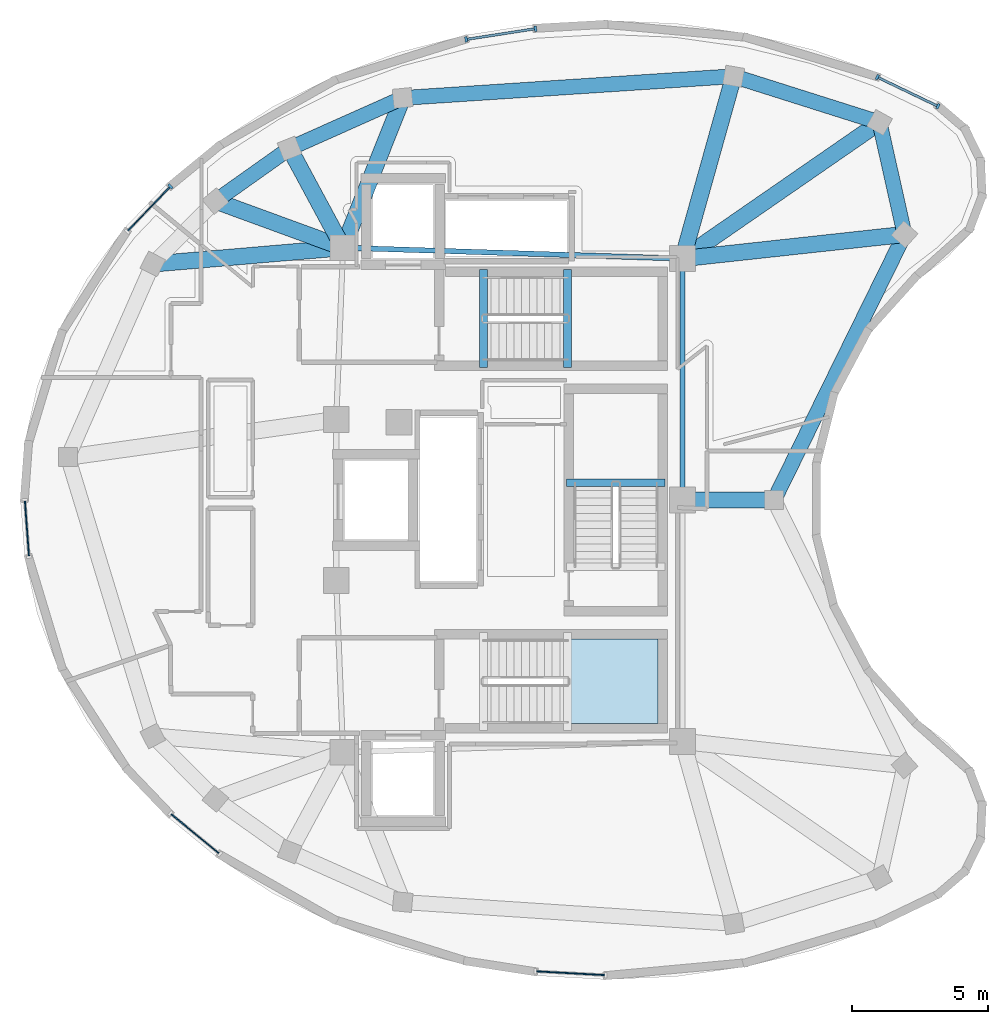
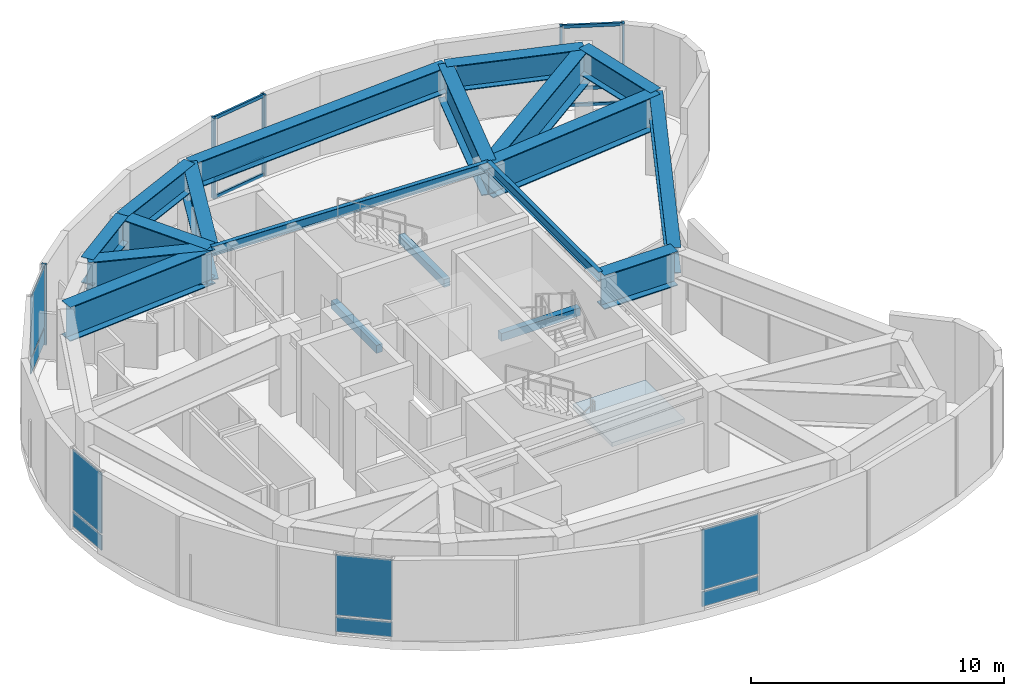
# One storey, part 2 of 8: 19 beams, 11 members, 8 plates, 1 slab, 7 elements without a shape of their own.
"""IFC4 building model written with IfcOpenShell, lengths in metres."""

from ifc_helpers import new_model, si_unit, direction, frame, origin, origin_2d, place, context, subcontext, project, spatial, polyline, rectangle, i_section, outline, extrude, material, layer, layer_set, material_profile, profile_set, type_object, element, aggregate, save


model = new_model("IFC4")

# Units and contexts
model_context = context("Model", 3, precision=1e-05, world=origin(), true_north=direction((0.0, 1.0)))
body_context = subcontext(model_context, "Body", "Model", "MODEL_VIEW")
ifc_project = project(units=[si_unit("LENGTHUNIT", "METRE"), si_unit("AREAUNIT", "SQUARE_METRE"), si_unit("VOLUMEUNIT", "CUBIC_METRE"), si_unit("PLANEANGLEUNIT", "RADIAN"), si_unit("MASSUNIT", "GRAM", prefix="KILO")], contexts=[model_context])

# Site, building, storey
site_placement = place(None, origin())
site = spatial("IfcSite", under=ifc_project, at=site_placement, CompositionType="ELEMENT")
building_placement = place(site_placement, origin())
building = spatial("IfcBuilding", under=site, at=building_placement, Name="Korentha Bioscience Tower", CompositionType="ELEMENT")
storey_placement = place(building_placement, frame((0.0, 0.0, 322.800048828125)))
storey = spatial("IfcBuildingStorey", under=building, at=storey_placement, Name="L74", CompositionType="ELEMENT", Elevation=322.800048828125)

# Beams
ifc_material_1 = material(Name="Concrete C50", Category="concrete")
ifc_material_profile_1 = material_profile(ifc_material_1, rectangle(XDim=0.280029296875, YDim=0.3798828125, at=origin_2d()), Name="Concrete C50")
ifc_profile_set_1 = profile_set([ifc_material_profile_1], Name="Concrete C50 (ST-HB380)")
beam_type_1 = type_object("IfcBeamType", Name="Concrete Stair Header Beam RC 280x380", PredefinedType="BEAM", material=ifc_profile_set_1)
for number, where, z_axis, x_axis, name in (
    (1, (30.25, 31.85009765625, -0.18994140625), (0.0, 1.0, 0.0), (-1.0, 0.0, 0.0), "L74 ST-1 Concrete Stair Header Beam"),
    (2, (33.330078125, 31.85009765625, 1.909912109375), (0.0, 1.0, 0.0), (-1.0, 0.0, 0.0), "L74 ST-1 Half-Landing Header Beam 1"),
    (3, (36.89990234375, 27.6298828125, 1.909912109375), (-1.0, 0.0, 0.0), (0.0, -1.0, 0.0), "L74 ST-3 Half-Landing Header Beam 1"),
):
    element("IfcBeam", number, at=place(storey_placement, frame(where, z_axis=z_axis, x_axis=x_axis)), inside=storey, type_object=beam_type_1, Name=name, PredefinedType="BEAM", context=body_context, shape_type="SweptSolid", body=[
        extrude(rectangle(XDim=0.280029296875, YDim=0.3798828125, at=origin_2d()), origin(), (0.0, 0.0, 1.0), 3.599853515625),
    ])
ifc_material_2 = material(Name="Steel S355", Category="steel")
ifc_material_profile_2 = material_profile(ifc_material_2, i_section(OverallWidth=0.550048828125, OverallDepth=1.25, WebThickness=0.02392578125, FlangeThickness=0.0400390625, at=origin_2d()), Name="Steel S355")
ifc_profile_set_2 = profile_set([ifc_material_profile_2], Name="Steel S355 (TG-03)")
beam_type_2 = type_object("IfcBeamType", Name="Crown Step Transfer Girder CVS 1250x510", PredefinedType="USERDEFINED", material=ifc_profile_set_2)
beam_1_placement = place(storey_placement, frame((44.77099609375, 40.843505859375, 3.27490234375), z_axis=(-0.953352242372, 0.301860070171, 0.0), x_axis=(-0.301860070171, -0.953352242372, 0.0)))
element("IfcBeam", 4, at=beam_1_placement, inside=storey, type_object=beam_type_2, Name="L74 Perimeter Spandrel Girder 01", ObjectType="TRANSFER_GIRDER", PredefinedType="USERDEFINED", context=body_context, shape_type="SweptSolid", body=[
    extrude(i_section(OverallWidth=0.550048828125, OverallDepth=1.25, WebThickness=0.02392578125, FlangeThickness=0.0400390625, at=origin_2d()), origin(), (0.0, 0.0, 1.0), 5.611328125),
])
beam_2_placement = place(storey_placement, frame((39.42138671875, 42.537353515625, 3.27490234375), z_axis=(-0.997849615433, -0.065544984396, 0.0), x_axis=(0.065544984396, -0.997849615433, 0.0)))
element("IfcBeam", 5, at=beam_2_placement, inside=storey, type_object=beam_type_2, Name="L74 Perimeter Spandrel Girder 02", ObjectType="TRANSFER_GIRDER", PredefinedType="USERDEFINED", context=body_context, shape_type="SweptSolid", body=[
    extrude(i_section(OverallWidth=0.550048828125, OverallDepth=1.25, WebThickness=0.02392578125, FlangeThickness=0.0400390625, at=origin_2d()), origin(), (0.0, 0.0, 1.0), 12.161376953125),
])
beam_3_placement = place(storey_placement, frame((27.2861328125, 41.740234375, 3.27490234375), z_axis=(-0.913174320366, -0.407569209613, 0.0), x_axis=(0.407569209613, -0.913174320366, 0.0)))
element("IfcBeam", 6, at=beam_3_placement, inside=storey, type_object=beam_type_2, Name="L74 Perimeter Spandrel Girder 03", ObjectType="TRANSFER_GIRDER", PredefinedType="USERDEFINED", context=body_context, shape_type="SweptSolid", body=[
    extrude(i_section(OverallWidth=0.550048828125, OverallDepth=1.25, WebThickness=0.02392578125, FlangeThickness=0.0400390625, at=origin_2d()), origin(), (0.0, 0.0, 1.0), 4.542236328125),
])
beam_4_placement = place(storey_placement, frame((23.13818359375, 39.888916015625, 3.27490234375), z_axis=(-0.815631003844, -0.578572437615, 0.0), x_axis=(0.578572437615, -0.815631003844, 0.0)))
element("IfcBeam", 7, at=beam_4_placement, inside=storey, type_object=beam_type_2, Name="L74 Perimeter Spandrel Girder 04", ObjectType="TRANSFER_GIRDER", PredefinedType="USERDEFINED", context=body_context, shape_type="SweptSolid", body=[
    extrude(i_section(OverallWidth=0.550048828125, OverallDepth=1.25, WebThickness=0.02392578125, FlangeThickness=0.0400390625, at=origin_2d()), origin(), (0.0, 0.0, 1.0), 3.33056640625),
])
beam_5_placement = place(storey_placement, frame((40.90380859375, 27.0, 3.27490234375), z_axis=(0.441009789641, 0.897502292722, 0.0), x_axis=(-0.897502292722, 0.441009789641, 0.0)))
element("IfcBeam", 8, at=beam_5_placement, inside=storey, type_object=beam_type_2, Name="L74 Perimeter Spandrel Girder 15", ObjectType="TRANSFER_GIRDER", PredefinedType="USERDEFINED", context=body_context, shape_type="SweptSolid", body=[
    extrude(i_section(OverallWidth=0.550048828125, OverallDepth=1.25, WebThickness=0.02392578125, FlangeThickness=0.0400390625, at=origin_2d()), origin(), (0.0, 0.0, 1.0), 10.848876953125),
])
beam_6_placement = place(storey_placement, frame((45.688232421875, 36.73681640625, 3.27490234375), z_axis=(-0.21798083403, 0.975953050098, 0.0), x_axis=(-0.975953050098, -0.21798083403, 0.0)))
element("IfcBeam", 9, at=beam_6_placement, inside=storey, type_object=beam_type_2, Name="L74 Perimeter Spandrel Girder 16", ObjectType="TRANSFER_GIRDER", PredefinedType="USERDEFINED", context=body_context, shape_type="SweptSolid", body=[
    extrude(i_section(OverallWidth=0.550048828125, OverallDepth=1.25, WebThickness=0.02392578125, FlangeThickness=0.0400390625, at=origin_2d()), origin(), (0.0, 0.0, 1.0), 4.207763671875),
])
ifc_material_profile_3 = material_profile(ifc_material_2, i_section(OverallWidth=0.60009765625, OverallDepth=1.64990234375, WebThickness=0.02587890625, FlangeThickness=0.0439453125, at=origin_2d()), Name="Steel S355")
ifc_profile_set_3 = profile_set([ifc_material_profile_3], Name="Steel S355 (TG-04)")
beam_type_3 = type_object("IfcBeamType", Name="Deep Setback Transfer Girder CVS 1650x620", PredefinedType="USERDEFINED", material=ifc_profile_set_3)
beam_7_placement = place(storey_placement, frame((37.550048828125, 35.85009765625, 3.074951171875), z_axis=(0.822496411979, 0.568770298347, 0.0), x_axis=(-0.568770298347, 0.822496411979, 0.0)))
element("IfcBeam", 10, at=beam_7_placement, inside=storey, type_object=beam_type_3, Name="L74 Radial Transfer Girder 01", ObjectType="TRANSFER_GIRDER", PredefinedType="USERDEFINED", context=body_context, shape_type="SweptSolid", body=[
    extrude(i_section(OverallWidth=0.60009765625, OverallDepth=1.64990234375, WebThickness=0.02587890625, FlangeThickness=0.0439453125, at=origin_2d()), origin(), (0.0, 0.0, 1.0), 8.779296875),
])
beam_8_placement = place(storey_placement, frame((37.550048828125, 35.85009765625, 3.074951171875), z_axis=(0.269483866639, 0.963004904256, 0.0), x_axis=(-0.963004904256, 0.269483866639, 0.0)))
element("IfcBeam", 11, at=beam_8_placement, inside=storey, type_object=beam_type_3, Name="L74 Radial Transfer Girder 02", ObjectType="TRANSFER_GIRDER", PredefinedType="USERDEFINED", context=body_context, shape_type="SweptSolid", body=[
    extrude(i_section(OverallWidth=0.60009765625, OverallDepth=1.64990234375, WebThickness=0.02587890625, FlangeThickness=0.0439453125, at=origin_2d()), origin(), (0.0, 0.0, 1.0), 6.944091796875),
])
beam_9_placement = place(storey_placement, frame((25.10009765625, 36.25, 3.074951171875), z_axis=(0.369922863927, 0.929062470851, 0.0), x_axis=(-0.929062470851, 0.369922863927, 0.0)))
element("IfcBeam", 12, at=beam_9_placement, inside=storey, type_object=beam_type_3, Name="L74 Radial Transfer Girder 03", ObjectType="TRANSFER_GIRDER", PredefinedType="USERDEFINED", context=body_context, shape_type="SweptSolid", body=[
    extrude(i_section(OverallWidth=0.60009765625, OverallDepth=1.64990234375, WebThickness=0.02587890625, FlangeThickness=0.0439453125, at=origin_2d()), origin(), (0.0, 0.0, 1.0), 5.909423828125),
])
beam_10_placement = place(storey_placement, frame((25.10009765625, 36.25, 3.074951171875), z_axis=(-0.474568134662, 0.880218771422, 0.0), x_axis=(-0.880218771422, -0.474568134662, 0.0)))
element("IfcBeam", 13, at=beam_10_placement, inside=storey, type_object=beam_type_3, Name="L74 Radial Transfer Girder 04", ObjectType="TRANSFER_GIRDER", PredefinedType="USERDEFINED", context=body_context, shape_type="SweptSolid", body=[
    extrude(i_section(OverallWidth=0.60009765625, OverallDepth=1.64990234375, WebThickness=0.02587890625, FlangeThickness=0.0439453125, at=origin_2d()), origin(), (0.0, 0.0, 1.0), 4.134033203125),
])
beam_11_placement = place(storey_placement, frame((25.10009765625, 36.25, 3.074951171875), z_axis=(-0.939104724197, 0.34363107687, 0.0), x_axis=(-0.34363107687, -0.939104724197, 0.0)))
element("IfcBeam", 14, at=beam_11_placement, inside=storey, type_object=beam_type_3, Name="L74 Radial Transfer Girder 05", ObjectType="TRANSFER_GIRDER", PredefinedType="USERDEFINED", context=body_context, shape_type="SweptSolid", body=[
    extrude(i_section(OverallWidth=0.60009765625, OverallDepth=1.64990234375, WebThickness=0.02587890625, FlangeThickness=0.0439453125, at=origin_2d()), origin(), (0.0, 0.0, 1.0), 4.98193359375),
])
beam_12_placement = place(storey_placement, frame((25.10009765625, 36.25, 3.074951171875), z_axis=(-0.996384703201, -0.084956007595, 0.0), x_axis=(0.084956007595, -0.996384703201, 0.0)))
element("IfcBeam", 15, at=beam_12_placement, inside=storey, type_object=beam_type_3, Name="L74 Radial Transfer Girder 06", ObjectType="TRANSFER_GIRDER", PredefinedType="USERDEFINED", context=body_context, shape_type="SweptSolid", body=[
    extrude(i_section(OverallWidth=0.60009765625, OverallDepth=1.64990234375, WebThickness=0.02587890625, FlangeThickness=0.0439453125, at=origin_2d()), origin(), (0.0, 0.0, 1.0), 7.00048828125),
])
beam_13_placement = place(storey_placement, frame((37.550048828125, 27.0, 3.074951171875), z_axis=(1.0, 0.0, 0.0), x_axis=(0.0, 1.0, 0.0)))
element("IfcBeam", 16, at=beam_13_placement, inside=storey, type_object=beam_type_3, Name="L74 Radial Transfer Girder 15", ObjectType="TRANSFER_GIRDER", PredefinedType="USERDEFINED", context=body_context, shape_type="SweptSolid", body=[
    extrude(i_section(OverallWidth=0.60009765625, OverallDepth=1.64990234375, WebThickness=0.02587890625, FlangeThickness=0.0439453125, at=origin_2d()), origin(), (0.0, 0.0, 1.0), 3.353759765625),
])
beam_14_placement = place(storey_placement, frame((37.550048828125, 35.85009765625, 3.074951171875), z_axis=(0.994116431558, 0.108316760047, 0.0), x_axis=(-0.108316760047, 0.994116431558, 0.0)))
element("IfcBeam", 17, at=beam_14_placement, inside=storey, type_object=beam_type_3, Name="L74 Radial Transfer Girder 16", ObjectType="TRANSFER_GIRDER", PredefinedType="USERDEFINED", context=body_context, shape_type="SweptSolid", body=[
    extrude(i_section(OverallWidth=0.60009765625, OverallDepth=1.64990234375, WebThickness=0.02587890625, FlangeThickness=0.0439453125, at=origin_2d()), origin(), (0.0, 0.0, 1.0), 8.186279296875),
])
ifc_material_profile_4 = material_profile(ifc_material_2, i_section(OverallWidth=0.18994140625, OverallDepth=0.45703125, WebThickness=0.009033203125, FlangeThickness=0.014404296875, at=origin_2d()), Name="Steel S355")
ifc_profile_set_4 = profile_set([ifc_material_profile_4], Name="Steel S355 (MB-460)")
beam_type_4 = type_object("IfcBeamType", Name="Mid-Ring Tie Girder W460x74", PredefinedType="BEAM", material=ifc_profile_set_4)
beam_15_placement = place(storey_placement, frame((37.550048828125, 35.85009765625, 3.67138671875), z_axis=(-0.999484526071, 0.032104238723, 0.0), x_axis=(-0.032104238723, -0.999484526071, 0.0)))
element("IfcBeam", 18, at=beam_15_placement, inside=storey, type_object=beam_type_4, Name="L74 Core Ring Tie Girder 01", PredefinedType="BEAM", context=body_context, shape_type="SweptSolid", body=[
    extrude(i_section(OverallWidth=0.18994140625, OverallDepth=0.45703125, WebThickness=0.009033203125, FlangeThickness=0.014404296875, at=origin_2d()), origin(), (0.0, 0.0, 1.0), 12.456298828125),
])
beam_16_placement = place(storey_placement, frame((37.550048828125, 27.0, 3.67138671875), z_axis=(0.0, 1.0, 0.0), x_axis=(-1.0, 0.0, 0.0)))
element("IfcBeam", 19, at=beam_16_placement, inside=storey, type_object=beam_type_4, Name="L74 Core Ring Tie Girder 07", PredefinedType="BEAM", context=body_context, shape_type="SweptSolid", body=[
    extrude(i_section(OverallWidth=0.18994140625, OverallDepth=0.45703125, WebThickness=0.009033203125, FlangeThickness=0.014404296875, at=origin_2d()), origin(), (0.0, 0.0, 1.0), 8.85009765625),
])

# Curtain wall, members
ifc_material_3 = material(Name="Structural Silicone Glazed Aluminium", Category="aluminium")
ifc_layer_1 = layer(ifc_material_3, 0.219970703125, Name="Structural Silicone Glazed Aluminium")
ifc_layer_set_1 = layer_set([ifc_layer_1], Name="Structural Silicone Glazed Aluminium (CW-O1)")
curtain_wall_type = type_object("IfcCurtainWallType", Name="Sky Observatory Acoustic Curtain Wall CW-O1", PredefinedType="USERDEFINED", material=ifc_layer_set_1)
curtain_wall_1_placement = place(storey_placement, origin())
curtain_wall_1 = element("IfcCurtainWall", 20, at=curtain_wall_1_placement, inside=storey, type_object=curtain_wall_type, Name="L74 Curtain Wall 01", ObjectType="UNITISED", PredefinedType="USERDEFINED")
ifc_material_4 = material(Name="Anodised Aluminium 6063-T6", Category="aluminium")
ifc_material_profile_5 = material_profile(ifc_material_4, rectangle(XDim=0.090087890625, YDim=0.199951171875, at=origin_2d()), Name="Anodised Aluminium 6063-T6")
ifc_profile_set_5 = profile_set([ifc_material_profile_5], Name="Anodised Aluminium 6063-T6 (CW-MUL)")
member_type_1 = type_object("IfcMemberType", Name="Mullion RECT 90x200", PredefinedType="MULLION", material=ifc_profile_set_5)
member_1_placement = place(storey_placement, frame((46.914306640625, 41.43408203125, 0.0), z_axis=(0.0, 0.0, 1.0), x_axis=(-0.901523666525, 0.432729798714, 0.0)))
member_1 = element("IfcMember", 21, at=member_1_placement, type_object=member_type_1, Name="CW-L74-01 Mullion 1", PredefinedType="MULLION", context=body_context, shape_type="SweptSolid", body=[
    extrude(rectangle(XDim=0.090087890625, YDim=0.199951171875, at=origin_2d()), origin(), (0.0, 0.0, 1.0), 3.89990234375),
])
member_2_placement = place(storey_placement, frame((44.685791015625, 42.50390625, 0.0), z_axis=(0.0, 0.0, 1.0), x_axis=(-0.901523666525, 0.432729798714, 0.0)))
member_2 = element("IfcMember", 22, at=member_2_placement, type_object=member_type_1, Name="CW-L74-01 Mullion 2", PredefinedType="MULLION", context=body_context, shape_type="SweptSolid", body=[
    extrude(rectangle(XDim=0.090087890625, YDim=0.199951171875, at=origin_2d()), origin(), (0.0, 0.0, 1.0), 3.89990234375),
])

curtain_wall_2_placement = place(storey_placement, origin())
curtain_wall_2 = element("IfcCurtainWall", 23, at=curtain_wall_2_placement, inside=storey, type_object=curtain_wall_type, Name="L74 Curtain Wall 07", ObjectType="UNITISED", PredefinedType="USERDEFINED")
member_3_placement = place(storey_placement, frame((32.155517578125, 44.279296875, 0.0), z_axis=(0.0, 0.0, 1.0), x_axis=(-0.988233672414, -0.152951654805, 0.0)))
member_3 = element("IfcMember", 24, at=member_3_placement, type_object=member_type_1, Name="CW-L74-07 Mullion 1", PredefinedType="MULLION", context=body_context, shape_type="SweptSolid", body=[
    extrude(rectangle(XDim=0.090087890625, YDim=0.199951171875, at=origin_2d()), origin(), (0.0, 0.0, 1.0), 3.89990234375),
])
member_4_placement = place(storey_placement, frame((29.61279296875, 43.8857421875, 0.0), z_axis=(0.0, 0.0, 1.0), x_axis=(-0.988233672414, -0.152951654805, 0.0)))
member_4 = element("IfcMember", 25, at=member_4_placement, type_object=member_type_1, Name="CW-L74-07 Mullion 2", PredefinedType="MULLION", context=body_context, shape_type="SweptSolid", body=[
    extrude(rectangle(XDim=0.090087890625, YDim=0.199951171875, at=origin_2d()), origin(), (0.0, 0.0, 1.0), 3.89990234375),
])

# Curtain wall, member
curtain_wall_3_placement = place(storey_placement, origin())
curtain_wall_3 = element("IfcCurtainWall", 26, at=curtain_wall_3_placement, inside=storey, type_object=curtain_wall_type, Name="L74 Curtain Wall 13", ObjectType="UNITISED", PredefinedType="USERDEFINED")
member_5_placement = place(storey_placement, frame((18.771240234375, 38.49755859375, 0.0), z_axis=(0.0, 0.0, 1.0), x_axis=(-0.691464110116, -0.722410814164, 0.0)))
member_5 = element("IfcMember", 27, at=member_5_placement, type_object=member_type_1, Name="CW-L74-13 Mullion 1", PredefinedType="MULLION", context=body_context, shape_type="SweptSolid", body=[
    extrude(rectangle(XDim=0.090087890625, YDim=0.199951171875, at=origin_2d()), origin(), (0.0, 0.0, 1.0), 3.89990234375),
])

# Member
ifc_material_profile_6 = material_profile(ifc_material_4, rectangle(XDim=0.090087890625, YDim=0.159912109375, at=origin_2d()), Name="Anodised Aluminium 6063-T6")
ifc_profile_set_6 = profile_set([ifc_material_profile_6], Name="Anodised Aluminium 6063-T6 (CW-TRN)")
member_type_2 = type_object("IfcMemberType", Name="Transom RECT 90x160", PredefinedType="USERDEFINED", material=ifc_profile_set_6)
member_6_placement = place(storey_placement, frame((46.873779296875, 41.45361328125, 0.044921875), z_axis=(-0.901526256177, 0.432724403545, 0.0), x_axis=(-0.432724403545, -0.901526256177, 0.0)))
member_6 = element("IfcMember", 28, at=member_6_placement, type_object=member_type_2, Name="CW-L74-01 Bay 1 Transom 1", ObjectType="TRANSOM", PredefinedType="USERDEFINED", context=body_context, shape_type="SweptSolid", body=[
    extrude(rectangle(XDim=0.090087890625, YDim=0.159912109375, at=origin_2d()), origin(), (0.0, 0.0, 1.0), 2.382080078125),
])

member_7_placement = place(storey_placement, frame((46.873779296875, 41.45361328125, 0.849853515625), z_axis=(-0.901526256177, 0.432724403545, 0.0), x_axis=(-0.432724403545, -0.901526256177, 0.0)))
member_7 = element("IfcMember", 29, at=member_7_placement, type_object=member_type_2, Name="CW-L74-01 Bay 1 Transom 2", ObjectType="TRANSOM", PredefinedType="USERDEFINED", context=body_context, shape_type="SweptSolid", body=[
    extrude(rectangle(XDim=0.090087890625, YDim=0.159912109375, at=origin_2d()), origin(), (0.0, 0.0, 1.0), 2.382080078125),
])

member_8_placement = place(storey_placement, frame((46.873779296875, 41.45361328125, 3.85498046875), z_axis=(-0.901526256177, 0.432724403545, 0.0), x_axis=(-0.432724403545, -0.901526256177, 0.0)))
member_8 = element("IfcMember", 30, at=member_8_placement, type_object=member_type_2, Name="CW-L74-01 Bay 1 Transom 3", ObjectType="TRANSOM", PredefinedType="USERDEFINED", context=body_context, shape_type="SweptSolid", body=[
    extrude(rectangle(XDim=0.090087890625, YDim=0.159912109375, at=origin_2d()), origin(), (0.0, 0.0, 1.0), 2.382080078125),
])

aggregate(curtain_wall_1, [member_1, member_2, member_6, member_7, member_8])

member_9_placement = place(storey_placement, frame((32.111083984375, 44.2724609375, 0.044921875), z_axis=(-0.988228039679, -0.15298804395, 0.0), x_axis=(0.15298804395, -0.988228039679, 0.0)))
member_9 = element("IfcMember", 31, at=member_9_placement, type_object=member_type_2, Name="CW-L74-07 Bay 1 Transom 1", ObjectType="TRANSOM", PredefinedType="USERDEFINED", context=body_context, shape_type="SweptSolid", body=[
    extrude(rectangle(XDim=0.090087890625, YDim=0.159912109375, at=origin_2d()), origin(), (0.0, 0.0, 1.0), 2.483154296875),
])

member_10_placement = place(storey_placement, frame((32.111083984375, 44.2724609375, 0.849853515625), z_axis=(-0.988228039679, -0.15298804395, 0.0), x_axis=(0.15298804395, -0.988228039679, 0.0)))
member_10 = element("IfcMember", 32, at=member_10_placement, type_object=member_type_2, Name="CW-L74-07 Bay 1 Transom 2", ObjectType="TRANSOM", PredefinedType="USERDEFINED", context=body_context, shape_type="SweptSolid", body=[
    extrude(rectangle(XDim=0.090087890625, YDim=0.159912109375, at=origin_2d()), origin(), (0.0, 0.0, 1.0), 2.483154296875),
])

member_11_placement = place(storey_placement, frame((32.111083984375, 44.2724609375, 3.85498046875), z_axis=(-0.988228039679, -0.15298804395, 0.0), x_axis=(0.15298804395, -0.988228039679, 0.0)))
member_11 = element("IfcMember", 33, at=member_11_placement, type_object=member_type_2, Name="CW-L74-07 Bay 1 Transom 3", ObjectType="TRANSOM", PredefinedType="USERDEFINED", context=body_context, shape_type="SweptSolid", body=[
    extrude(rectangle(XDim=0.090087890625, YDim=0.159912109375, at=origin_2d()), origin(), (0.0, 0.0, 1.0), 2.483154296875),
])

aggregate(curtain_wall_2, [member_3, member_4, member_9, member_10, member_11])

# Plate
ifc_material_5 = material(Name="Triple-Glazed Low-E Insulated Glass", Category="glass")
ifc_layer_2 = layer(ifc_material_5, 0.0439453125, Name="Triple-Glazed Low-E Insulated Glass")
ifc_layer_set_2 = layer_set([ifc_layer_2], Name="Triple-Glazed Low-E Insulated Glass (GL-44)")
plate_type = type_object("IfcPlateType", Name="Glazed Panel 44mm", PredefinedType="CURTAIN_PANEL", material=ifc_layer_set_2)
plate_1_placement = place(storey_placement, frame((17.976806640625, 37.66748046875, 0.08984375), z_axis=(0.0, 0.0, 1.0), x_axis=(-0.691464110116, -0.722410814164, 0.0)))
plate_1 = element("IfcPlate", 34, at=plate_1_placement, type_object=plate_type, Name="CW-L74-13 Bay 1 Glazed Panel 1", PredefinedType="CURTAIN_PANEL", context=body_context, shape_type="SweptSolid", body=[
    extrude(rectangle(XDim=2.2080078125, YDim=0.0439453125, at=origin_2d()), origin(), (0.0, 0.0, 1.0), 0.715087890625),
])

plate_2_placement = place(storey_placement, frame((17.976806640625, 37.66748046875, 0.89501953125), z_axis=(0.0, 0.0, 1.0), x_axis=(-0.691464110116, -0.722410814164, 0.0)))
plate_2 = element("IfcPlate", 35, at=plate_2_placement, type_object=plate_type, Name="CW-L74-13 Bay 1 Glazed Panel 2", PredefinedType="CURTAIN_PANEL", context=body_context, shape_type="SweptSolid", body=[
    extrude(rectangle(XDim=2.2080078125, YDim=0.0439453125, at=origin_2d()), origin(), (0.0, 0.0, 1.0), 2.9150390625),
])

aggregate(curtain_wall_3, [member_5, plate_1, plate_2])

# Curtain wall, plates
curtain_wall_4_placement = place(storey_placement, origin())
curtain_wall_4 = element("IfcCurtainWall", 36, at=curtain_wall_4_placement, inside=storey, type_object=curtain_wall_type, Name="L74 Curtain Wall 19", ObjectType="UNITISED", PredefinedType="USERDEFINED")
plate_3_placement = place(storey_placement, frame((13.509765625, 25.957275390625, 0.08984375), z_axis=(0.0, 0.0, 1.0), x_axis=(0.073859936969, -0.99726862465, 0.0)))
plate_3 = element("IfcPlate", 37, at=plate_3_placement, type_object=plate_type, Name="CW-L74-19 Bay 1 Glazed Panel 1", PredefinedType="CURTAIN_PANEL", context=body_context, shape_type="SweptSolid", body=[
    extrude(rectangle(XDim=2.0146484375, YDim=0.0439453125, at=origin_2d()), origin(), (0.0, 0.0, 1.0), 0.715087890625),
])
plate_4_placement = place(storey_placement, frame((13.509765625, 25.957275390625, 0.89501953125), z_axis=(0.0, 0.0, 1.0), x_axis=(0.073859936969, -0.99726862465, 0.0)))
plate_4 = element("IfcPlate", 38, at=plate_4_placement, type_object=plate_type, Name="CW-L74-19 Bay 1 Glazed Panel 2", PredefinedType="CURTAIN_PANEL", context=body_context, shape_type="SweptSolid", body=[
    extrude(rectangle(XDim=2.0146484375, YDim=0.0439453125, at=origin_2d()), origin(), (0.0, 0.0, 1.0), 2.9150390625),
])
aggregate(curtain_wall_4, [plate_3, plate_4])

curtain_wall_5_placement = place(storey_placement, origin())
curtain_wall_5 = element("IfcCurtainWall", 39, at=curtain_wall_5_placement, inside=storey, type_object=curtain_wall_type, Name="L74 Curtain Wall 25", ObjectType="UNITISED", PredefinedType="USERDEFINED")
plate_5_placement = place(storey_placement, frame((19.675537109375, 14.76220703125, 0.08984375), z_axis=(0.0, 0.0, 1.0), x_axis=(0.773456171637, -0.633849785483, 0.0)))
plate_5 = element("IfcPlate", 40, at=plate_5_placement, type_object=plate_type, Name="CW-L74-25 Bay 1 Glazed Panel 1", PredefinedType="CURTAIN_PANEL", context=body_context, shape_type="SweptSolid", body=[
    extrude(rectangle(XDim=2.26611328125, YDim=0.0439453125, at=origin_2d()), origin(), (0.0, 0.0, 1.0), 0.715087890625),
])
plate_6_placement = place(storey_placement, frame((19.675537109375, 14.76220703125, 0.89501953125), z_axis=(0.0, 0.0, 1.0), x_axis=(0.773456171637, -0.633849785483, 0.0)))
plate_6 = element("IfcPlate", 41, at=plate_6_placement, type_object=plate_type, Name="CW-L74-25 Bay 1 Glazed Panel 2", PredefinedType="CURTAIN_PANEL", context=body_context, shape_type="SweptSolid", body=[
    extrude(rectangle(XDim=2.26611328125, YDim=0.0439453125, at=origin_2d()), origin(), (0.0, 0.0, 1.0), 2.9150390625),
])
aggregate(curtain_wall_5, [plate_5, plate_6])

curtain_wall_6_placement = place(storey_placement, origin())
curtain_wall_6 = element("IfcCurtainWall", 42, at=curtain_wall_6_placement, inside=storey, type_object=curtain_wall_type, Name="L74 Curtain Wall 31", ObjectType="UNITISED", PredefinedType="USERDEFINED")
plate_7_placement = place(storey_placement, frame((33.44091796875, 9.64990234375, 0.08984375), z_axis=(0.0, 0.0, 1.0), x_axis=(0.998475949486, -0.055188570363, 0.0)))
plate_7 = element("IfcPlate", 43, at=plate_7_placement, type_object=plate_type, Name="CW-L74-31 Bay 1 Glazed Panel 1", PredefinedType="CURTAIN_PANEL", context=body_context, shape_type="SweptSolid", body=[
    extrude(rectangle(XDim=2.496337890625, YDim=0.0439453125, at=origin_2d()), origin(), (0.0, 0.0, 1.0), 0.715087890625),
])
plate_8_placement = place(storey_placement, frame((33.44091796875, 9.64990234375, 0.89501953125), z_axis=(0.0, 0.0, 1.0), x_axis=(0.998475949486, -0.055188570363, 0.0)))
plate_8 = element("IfcPlate", 44, at=plate_8_placement, type_object=plate_type, Name="CW-L74-31 Bay 1 Glazed Panel 2", PredefinedType="CURTAIN_PANEL", context=body_context, shape_type="SweptSolid", body=[
    extrude(rectangle(XDim=2.496337890625, YDim=0.0439453125, at=origin_2d()), origin(), (0.0, 0.0, 1.0), 2.9150390625),
])
aggregate(curtain_wall_6, [plate_7, plate_8])

# Stair, slab
ifc_material_6 = material(Name="Precast Concrete C50", Category="concrete")
stair_type = type_object("IfcStairType", Name="Core Exit Dog-Leg Stair 1450", PredefinedType="HALF_TURN_STAIR", material=ifc_material_6)
stair_placement = place(storey_placement, origin())
stair = element("IfcStair", 45, at=stair_placement, inside=storey, type_object=stair_type, Name="L74 Tower South Pressurized Exit Stair ST-2", PredefinedType="HALF_TURN_STAIR")
ifc_layer_3 = layer(ifc_material_1, 0.199951171875, Name="Concrete C50")
ifc_layer_set_3 = layer_set([ifc_layer_3], Name="Concrete C50 (SL-LND)")
slab_type = type_object("IfcSlabType", Name="Landing Slab 200", PredefinedType="LANDING", material=ifc_layer_set_3)
slab_placement = place(storey_placement, frame((0.0, 0.0, 1.89990234375)))
slab = element("IfcSlab", 46, at=slab_placement, type_object=slab_type, Name="ST-2 landing 1", PredefinedType="LANDING", context=body_context, shape_type="SweptSolid", body=[
    extrude(outline(polyline([(33.330078125, 18.800048828125), (36.64990234375, 18.800048828125), (36.64990234375, 21.89990234375), (33.330078125, 21.89990234375), (33.330078125, 18.800048828125)])), origin(), (0.0, 0.0, 1.0), 0.199951171875),
])
aggregate(stair, [slab])

save(model, "model.ifc")
